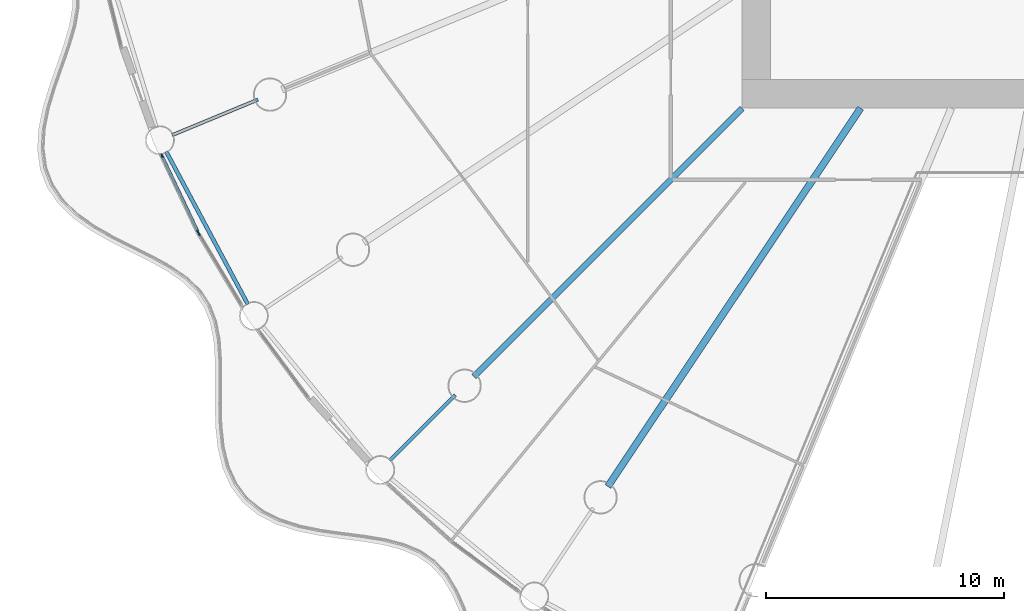
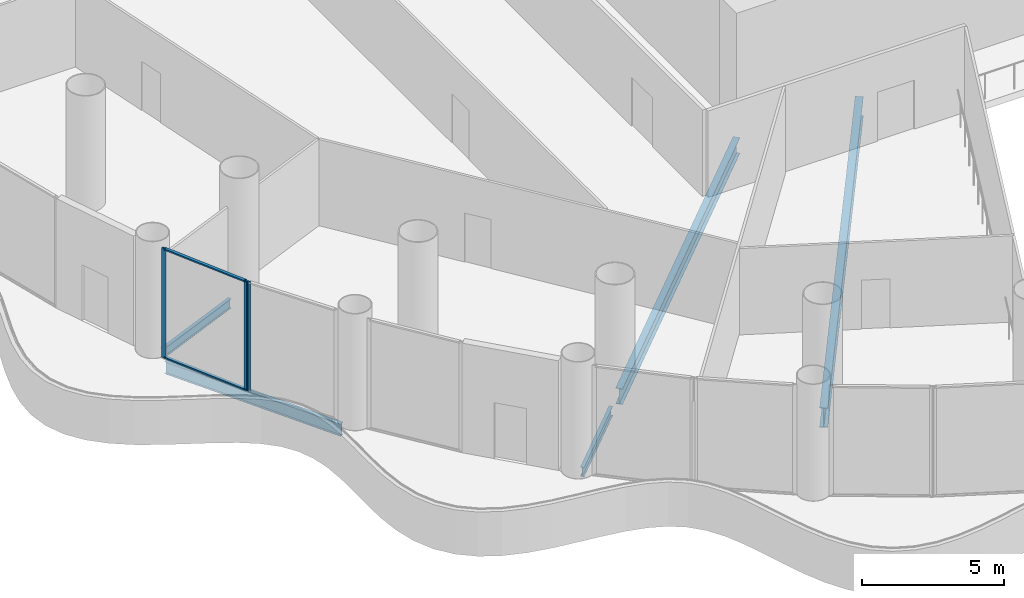
# One storey, part 3 of 36: 5 beams, 5 members, 2 elements without a shape of their own.
"""IFC4 building model written with IfcOpenShell, lengths in metres."""

import ifcopenshell
import ifcopenshell.guid

model = None  # the IFC model being written
_history = None  # IfcOwnerHistory: only IFC2X3 demands one
_inside = {}  # id of a spatial element -> (the spatial element, [elements in it])
_under = {}  # id of a project, library or spatial element -> (it, [spatial elements below it])
_declared = {}  # id of a project -> (the project, [libraries it declares])
_typed = {}  # id of a type object -> (the type object, [elements of that type])
_made_of = {}  # id of a material, layer set ... -> (it, [elements and type objects made of it])


def new_model(schema):
    """Start an empty IFC model of exactly this schema.

    Asked for "IFC4X3", IfcOpenShell would pick the latest addendum, in which some entities
    have other attributes; the version numbers below select the first issue.
    IFC2X3 requires an IfcOwnerHistory on every rooted entity: one is made here for all.
    """
    global model, _history
    if schema == "IFC4X3":
        model = ifcopenshell.file(schema_version=(4, 3, 0, 0))
    else:
        model = ifcopenshell.file(schema=schema)
    _inside.clear()
    _under.clear()
    _declared.clear()
    _typed.clear()
    _made_of.clear()
    _history = None
    if model.schema == "IFC2X3":
        org = make("IfcOrganization", Name="unknown")
        user = make(
            "IfcPersonAndOrganization",
            ThePerson=make("IfcPerson", FamilyName="unknown"),
            TheOrganization=org,
        )
        app = make(
            "IfcApplication",
            ApplicationDeveloper=org,
            Version="unknown",
            ApplicationFullName="unknown",
            ApplicationIdentifier="unknown",
        )
        _history = make(
            "IfcOwnerHistory",
            OwningUser=user,
            OwningApplication=app,
            ChangeAction="ADDED",
            CreationDate=0,
        )
    return model


def make(cls, **values):
    """One entity of the class cls with the attributes given. An attribute that is None is left unset."""
    return model.create_entity(
        cls, **{name: value for name, value in values.items() if value is not None}
    )


def rooted(cls, **values):
    """An entity with a GlobalId (a new one), such as an element, a storey or a relation."""
    return make(cls, GlobalId=ifcopenshell.guid.new(), OwnerHistory=_history, **values)


def si_unit(unit_type, name, prefix=None):
    """IfcSIUnit, for example si_unit("LENGTHUNIT", "METRE", prefix="MILLI")."""
    return make("IfcSIUnit", UnitType=unit_type, Prefix=prefix, Name=name)


def assignment(units):
    """IfcUnitAssignment: the units of a project."""
    return None if units is None else make("IfcUnitAssignment", Units=units)


def point(xyz):
    """IfcCartesianPoint."""
    return None if xyz is None else make("IfcCartesianPoint", Coordinates=xyz)


def direction(xyz):
    """IfcDirection."""
    return None if xyz is None else make("IfcDirection", DirectionRatios=xyz)


def frame(location, z_axis=None, x_axis=None):
    """IfcAxis2Placement3D, a coordinate frame: its origin and axes. An axis left out is left unset."""
    return make(
        "IfcAxis2Placement3D",
        Location=point(location),
        Axis=direction(z_axis),
        RefDirection=direction(x_axis),
    )


def frame_2d(location, x_axis=None):
    """IfcAxis2Placement2D, a coordinate frame in the plane: its origin and x axis."""
    return make(
        "IfcAxis2Placement2D", Location=point(location), RefDirection=direction(x_axis)
    )


def origin():
    """The frame at (0, 0, 0) with its axes left unset."""
    return frame((0.0, 0.0, 0.0))


def origin_2d():
    """The frame at (0, 0) in the plane with its x axis left unset."""
    return frame_2d((0.0, 0.0))


def place(relative_to, where):
    """IfcLocalPlacement: puts the frame where relative to a parent placement (None: the world)."""
    return make(
        "IfcLocalPlacement", PlacementRelTo=relative_to, RelativePlacement=where
    )


def context(
    kind, dimensions, precision=None, world=None, true_north=None, identifier=None
):
    """IfcGeometricRepresentationContext, for example the 3D "Model" context."""
    return make(
        "IfcGeometricRepresentationContext",
        ContextIdentifier=identifier,
        ContextType=kind,
        CoordinateSpaceDimension=dimensions,
        Precision=precision,
        WorldCoordinateSystem=world,
        TrueNorth=true_north,
    )


def subcontext(parent, identifier, kind, view, scale=None):
    """IfcGeometricRepresentationSubContext, for example "Body" below "Model"."""
    return make(
        "IfcGeometricRepresentationSubContext",
        ContextIdentifier=identifier,
        ContextType=kind,
        ParentContext=parent,
        TargetScale=scale,
        TargetView=view,
    )


def project(units=None, contexts=None):
    """IfcProject with its units and contexts."""
    return rooted(
        "IfcProject",
        Name="project",
        RepresentationContexts=contexts,
        UnitsInContext=assignment(units),
    )


def spatial(cls, under=None, at=None, **own):
    """A site, building, storey or space (cls), placed at a placement, below another one or the project."""
    s = rooted(cls, ObjectPlacement=at, **own)
    if under is not None:
        _under.setdefault(under.id(), (under, []))[1].append(s)
    return s


def profile(cls, at=None, kind="AREA", **sizes):
    """A parametric profile (cls). Its sizes go by their IFC names, for example OverallWidth=200.0."""
    return make(cls, ProfileType=kind, Position=at, **sizes)


def rectangle(**sizes):
    """IfcRectangleProfileDef."""
    return profile("IfcRectangleProfileDef", **sizes)


def i_section(**sizes):
    """IfcIShapeProfileDef."""
    return profile("IfcIShapeProfileDef", **sizes)


def extrude(swept, where, along, depth):
    """IfcExtrudedAreaSolid: the profile swept, set in the frame where, extruded along a direction by depth."""
    return make(
        "IfcExtrudedAreaSolid",
        SweptArea=swept,
        Position=where,
        ExtrudedDirection=direction(along),
        Depth=depth,
    )


def shape(context_of_items, identifier, shape_type, items):
    """IfcShapeRepresentation: the items that make up one representation, for example the "Body"."""
    return make(
        "IfcShapeRepresentation",
        ContextOfItems=context_of_items,
        RepresentationIdentifier=identifier,
        RepresentationType=shape_type,
        Items=items,
    )


def material(Name=None, Category=None):
    """IfcMaterial."""
    return make("IfcMaterial", Name=Name, Category=Category)


def material_profile(
    of_material, cross_section, Name=None, Category=None, Priority=None
):
    """IfcMaterialProfile: a cross section and its material."""
    return make(
        "IfcMaterialProfile",
        Name=Name,
        Material=of_material,
        Profile=cross_section,
        Priority=Priority,
        Category=Category,
    )


def profile_set(profiles, Name=None, composite=None):
    """IfcMaterialProfileSet."""
    return make(
        "IfcMaterialProfileSet",
        Name=Name,
        MaterialProfiles=profiles,
        CompositeProfile=composite,
    )


def made_of(thing, what):
    """Note that an element or type object is made of a material, layer set ...; save() writes the relation."""
    if what is not None:
        _made_of.setdefault(what.id(), (what, []))[1].append(thing)
    return thing


def type_object(cls, material=None, **own):
    """A type object (cls), such as IfcWallType, which elements share."""
    return made_of(rooted(cls, **own), material)


def element(
    cls,
    number,
    at=None,
    inside=None,
    cuts=None,
    type_object=None,
    material=None,
    context=None,
    identifier="Body",
    shape_type=None,
    held_by="IfcProductDefinitionShape",
    body=None,
    shapes=None,
    **own,
):
    """One element of the class cls, such as IfcWall. Its Tag is "e" and its number.

    at: its placement. inside: the storey or other place that contains it. cuts: it is an
    opening in that element (IfcRelVoidsElement). A single representation is given by context,
    identifier, shape_type and body (its items); several are given by shapes. held_by: the class
    of the entity that holds the representations. save() writes the other relations.
    """
    e = rooted(cls, Tag="e%d" % number, ObjectPlacement=at, **own)
    if body is not None:
        shapes = [shape(context, identifier, shape_type, body)]
    if shapes is not None:
        e.Representation = make(held_by, Representations=shapes)
    if inside is not None:
        _inside.setdefault(inside.id(), (inside, []))[1].append(e)
    if cuts is not None:
        rooted(
            "IfcRelVoidsElement", RelatingBuildingElement=cuts, RelatedOpeningElement=e
        )
    if type_object is not None:
        _typed.setdefault(type_object.id(), (type_object, []))[1].append(e)
    return made_of(e, material)


def aggregate(whole, parts):
    """IfcRelAggregates: a whole, such as a stair, and the parts it consists of."""
    return rooted("IfcRelAggregates", RelatingObject=whole, RelatedObjects=parts)


def save(model, path):
    """Write the relations noted so far, then the file.

    IfcRelAggregates (storeys below a building ...), IfcRelContainedInSpatialStructure (elements
    in a storey), IfcRelDefinesByType, IfcRelAssociatesMaterial and IfcRelDeclares: one each for
    every whole, place, type object, material and project.
    """
    for whole, parts in _under.values():
        aggregate(whole, parts)
    for where, things in _inside.values():
        rooted(
            "IfcRelContainedInSpatialStructure",
            RelatedElements=things,
            RelatingStructure=where,
        )
    for kind, things in _typed.values():
        rooted("IfcRelDefinesByType", RelatedObjects=things, RelatingType=kind)
    for what, things in _made_of.values():
        rooted("IfcRelAssociatesMaterial", RelatedObjects=things, RelatingMaterial=what)
    for by, libraries in _declared.values():
        rooted("IfcRelDeclares", RelatingContext=by, RelatedDefinitions=libraries)
    model.write(path)


model = new_model("IFC4")

# Units and contexts
model_context = context("Model", 3, precision=1e-05, world=origin(), true_north=direction((0.0, 1.0)))
body_context = subcontext(model_context, "Body", "Model", "MODEL_VIEW")
ifc_project = project(units=[si_unit("LENGTHUNIT", "METRE"), si_unit("AREAUNIT", "SQUARE_METRE"), si_unit("VOLUMEUNIT", "CUBIC_METRE"), si_unit("PLANEANGLEUNIT", "RADIAN"), si_unit("MASSUNIT", "GRAM", prefix="KILO")], contexts=[model_context])

# Site, building, storey
site_placement = place(None, origin())
site = spatial("IfcSite", under=ifc_project, at=site_placement, CompositionType="ELEMENT")
building_placement = place(site_placement, origin())
building = spatial("IfcBuilding", under=site, at=building_placement, Name="Corvane Civic Tower", CompositionType="ELEMENT")
storey_placement = place(building_placement, frame((0.0, 0.0, 17.0)))
storey = spatial("IfcBuildingStorey", under=building, at=storey_placement, Name="L03", CompositionType="ELEMENT", Elevation=17.0)

# Beams
ifc_material_1 = material(Name="Steel ASTM A992 Gr 50", Category="steel")
ifc_material_profile_1 = material_profile(ifc_material_1, i_section(OverallWidth=0.165771484375, OverallDepth=0.5283203125, WebThickness=0.009765625, FlangeThickness=0.013671875, at=origin_2d()), Name="W21X50")
ifc_profile_set_1 = profile_set([ifc_material_profile_1], Name="Steel ASTM A992 Gr 50")
beam_type_1 = type_object("IfcBeamType", Name="EDGE BEAM W21X50", PredefinedType="BEAM", material=ifc_profile_set_1)
beam_1_placement = place(storey_placement, frame((-35.762939453125, -23.23779296875, -0.564208984375), z_axis=(-0.471412394598, 0.881912894916, 0.0), x_axis=(-0.881912894916, -0.471412394598, 0.0)))
element("IfcBeam", 1, at=beam_1_placement, inside=storey, type_object=beam_type_1, Name="BM-L03-E22", PredefinedType="BEAM", context=body_context, shape_type="SweptSolid", body=[
    extrude(i_section(OverallWidth=0.165771484375, OverallDepth=0.5283203125, WebThickness=0.009765625, FlangeThickness=0.013671875, at=origin_2d()), origin(), (0.0, 0.0, 1.0), 7.270751953125),
])
ifc_material_2 = material(Name="Steel ASTM A992 Gr 50", Category="steel")
ifc_material_profile_2 = material_profile(ifc_material_2, i_section(OverallWidth=0.140380859375, OverallDepth=0.40380859375, WebThickness=0.007080078125, FlangeThickness=0.01123046875, at=origin_2d()), Name="W16X31")
ifc_profile_set_2 = profile_set([ifc_material_profile_2], Name="Steel ASTM A992 Gr 50")
beam_type_2 = type_object("IfcBeamType", Name="FLOOR GIRDER W16X31", PredefinedType="BEAM", material=ifc_profile_set_2)
for number, where, z_axis, x_axis, name in (
    (2, (-27.046875, -27.046875, -0.501953125), (-0.707106781187, -0.707106781187, 0.0), (0.707106781187, -0.707106781187, 0.0), "BM-L03-G21b"),
    (3, (-35.33837890625, -14.6376953125, -0.501953125), (-0.923878730261, -0.382685369162, 0.0), (0.382685369162, -0.923878730261, 0.0), "BM-L03-G23b"),
):
    element("IfcBeam", number, at=place(storey_placement, frame(where, z_axis=z_axis, x_axis=x_axis)), inside=storey, type_object=beam_type_2, Name=name, PredefinedType="BEAM", context=body_context, shape_type="SweptSolid", body=[
        extrude(i_section(OverallWidth=0.140380859375, OverallDepth=0.40380859375, WebThickness=0.007080078125, FlangeThickness=0.01123046875, at=origin_2d()), origin(), (0.0, 0.0, 1.0), 3.89990234375),
    ])
ifc_material_3 = material(Name="Steel ASTM A992 Gr 50", Category="steel")
ifc_material_profile_3 = material_profile(ifc_material_3, i_section(OverallWidth=0.25390625, OverallDepth=0.67822265625, WebThickness=0.01171875, FlangeThickness=0.016357421875, at=origin_2d()), Name="W27X84")
ifc_profile_set_3 = profile_set([ifc_material_profile_3], Name="Steel ASTM A992 Gr 50")
beam_type_3 = type_object("IfcBeamType", Name="FLOOR GIRDER W27X84", PredefinedType="BEAM", material=ifc_profile_set_3)
beam_2_placement = place(storey_placement, frame((-15.0, -15.0, -0.63916015625), z_axis=(-0.707106781187, -0.707106781187, 0.0), x_axis=(0.707106781187, -0.707106781187, 0.0)))
element("IfcBeam", 4, at=beam_2_placement, inside=storey, type_object=beam_type_3, Name="BM-L03-G21", PredefinedType="BEAM", context=body_context, shape_type="SweptSolid", body=[
    extrude(i_section(OverallWidth=0.25390625, OverallDepth=0.67822265625, WebThickness=0.01171875, FlangeThickness=0.016357421875, at=origin_2d()), origin(), (0.0, 0.0, 1.0), 15.936767578125),
])
ifc_material_4 = material(Name="Steel ASTM A992 Gr 50", Category="steel")
ifc_material_profile_4 = material_profile(ifc_material_4, i_section(OverallWidth=0.2919921875, OverallDepth=0.845703125, WebThickness=0.015380859375, FlangeThickness=0.0244140625, at=origin_2d()), Name="W33X141")
ifc_profile_set_4 = profile_set([ifc_material_profile_4], Name="Steel ASTM A992 Gr 50")
beam_type_4 = type_object("IfcBeamType", Name="FLOOR GIRDER W33X141", PredefinedType="BEAM", material=ifc_profile_set_4)
beam_3_placement = place(storey_placement, frame((-10.022705078125, -15.0, -0.722900390625), z_axis=(-0.555566681385, -0.831471985418, 0.0), x_axis=(0.831471985418, -0.555566681385, 0.0)))
element("IfcBeam", 5, at=beam_3_placement, inside=storey, type_object=beam_type_4, Name="BM-L03-G20", PredefinedType="BEAM", context=body_context, shape_type="SweptSolid", body=[
    extrude(i_section(OverallWidth=0.2919921875, OverallDepth=0.845703125, WebThickness=0.015380859375, FlangeThickness=0.0244140625, at=origin_2d()), origin(), (0.0, 0.0, 1.0), 19.109619140625),
])

# Curtain wall, member
ifc_material_5 = material(Name="Aluminium and glass", Category="aluminium")
curtain_wall_type = type_object("IfcCurtainWallType", Name="PODIUM-CW-P-RUN", PredefinedType="NOTDEFINED", material=ifc_material_5)
curtain_wall_1_placement = place(storey_placement, origin())
curtain_wall_1 = element("IfcCurtainWall", 6, at=curtain_wall_1_placement, inside=storey, type_object=curtain_wall_type, Name="PODI run L03-drum-22A", PredefinedType="NOTDEFINED")
ifc_material_6 = material(Name="Anodised aluminium bronze", Category="aluminium")
ifc_material_profile_5 = material_profile(ifc_material_6, rectangle(XDim=0.06005859375, YDim=0.159912109375, at=origin_2d()), Name="AL 60x160")
ifc_profile_set_5 = profile_set([ifc_material_profile_5], Name="Anodised aluminium bronze")
member_type_1 = type_object("IfcMemberType", Name="PODIUM-CWP-MULLION-60x160", PredefinedType="MULLION", material=ifc_profile_set_5)
member_1_placement = place(storey_placement, frame((-37.819580078125, -20.2666015625, 0.0), z_axis=(0.0, 0.0, 1.0), x_axis=(-0.857719609779, -0.514117759857, 0.0)))
member_1 = element("IfcMember", 7, at=member_1_placement, type_object=member_type_1, Name="CW-P mullion 2", PredefinedType="MULLION", context=body_context, shape_type="SweptSolid", body=[
    extrude(rectangle(XDim=0.06005859375, YDim=0.159912109375, at=origin_2d()), origin(), (0.0, 0.0, 1.0), 4.699951171875),
])
aggregate(curtain_wall_1, [member_1])

# Curtain wall, members
curtain_wall_2_placement = place(storey_placement, origin())
curtain_wall_2 = element("IfcCurtainWall", 8, at=curtain_wall_2_placement, inside=storey, type_object=curtain_wall_type, Name="PODI run L03-drum-22B", PredefinedType="NOTDEFINED")
member_2_placement = place(storey_placement, frame((-37.862548828125, -20.186279296875, 0.0), z_axis=(0.0, 0.0, 1.0), x_axis=(-0.903990222454, -0.42755312852, 0.0)))
member_2 = element("IfcMember", 9, at=member_2_placement, type_object=member_type_1, Name="CW-P mullion 1", PredefinedType="MULLION", context=body_context, shape_type="SweptSolid", body=[
    extrude(rectangle(XDim=0.06005859375, YDim=0.159912109375, at=origin_2d()), origin(), (0.0, 0.0, 1.0), 4.699951171875),
])
member_3_placement = place(storey_placement, frame((-39.36767578125, -17.00439453125, 0.0), z_axis=(0.0, 0.0, 1.0), x_axis=(-0.903990222454, -0.42755312852, 0.0)))
member_3 = element("IfcMember", 10, at=member_3_placement, type_object=member_type_1, Name="CW-P mullion 2", PredefinedType="MULLION", context=body_context, shape_type="SweptSolid", body=[
    extrude(rectangle(XDim=0.06005859375, YDim=0.159912109375, at=origin_2d()), origin(), (0.0, 0.0, 1.0), 4.699951171875),
])
ifc_material_7 = material(Name="Anodised aluminium bronze", Category="aluminium")
ifc_material_profile_6 = material_profile(ifc_material_7, rectangle(XDim=0.1201171875, YDim=0.06005859375, at=origin_2d()), Name="AL 120x60")
ifc_profile_set_6 = profile_set([ifc_material_profile_6], Name="Anodised aluminium bronze")
member_type_2 = type_object("IfcMemberType", Name="PODIUM-CWP-TRANSOM-60x120", PredefinedType="USERDEFINED", material=ifc_profile_set_6)
member_4_placement = place(storey_placement, frame((-37.87548828125, -20.1591796875, 0.030029296875), z_axis=(-0.427546343166, 0.903993431638, 0.0), x_axis=(-0.903993431638, -0.427546343166, 0.0)))
member_4 = element("IfcMember", 11, at=member_4_placement, type_object=member_type_2, Name="CW-P transom 1.1", ObjectType="TRANSOM", PredefinedType="USERDEFINED", context=body_context, shape_type="SweptSolid", body=[
    extrude(rectangle(XDim=0.1201171875, YDim=0.06005859375, at=origin_2d()), origin(), (0.0, 0.0, 1.0), 3.4599609375),
])
member_5_placement = place(storey_placement, frame((-37.87548828125, -20.1591796875, 4.669921875), z_axis=(-0.427546343166, 0.903993431638, 0.0), x_axis=(-0.903993431638, -0.427546343166, 0.0)))
member_5 = element("IfcMember", 12, at=member_5_placement, type_object=member_type_2, Name="CW-P transom 1.2", ObjectType="TRANSOM", PredefinedType="USERDEFINED", context=body_context, shape_type="SweptSolid", body=[
    extrude(rectangle(XDim=0.1201171875, YDim=0.06005859375, at=origin_2d()), origin(), (0.0, 0.0, 1.0), 3.4599609375),
])
aggregate(curtain_wall_2, [member_2, member_3, member_4, member_5])

save(model, "model.ifc")
